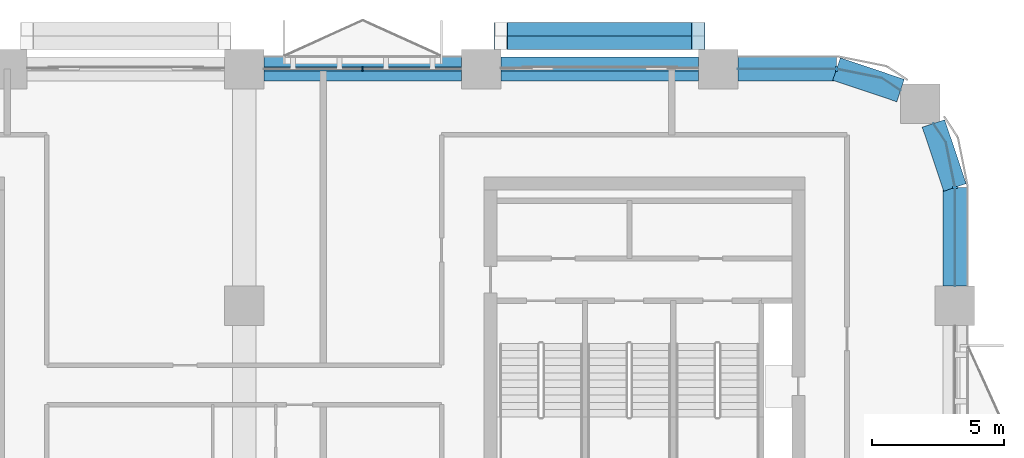
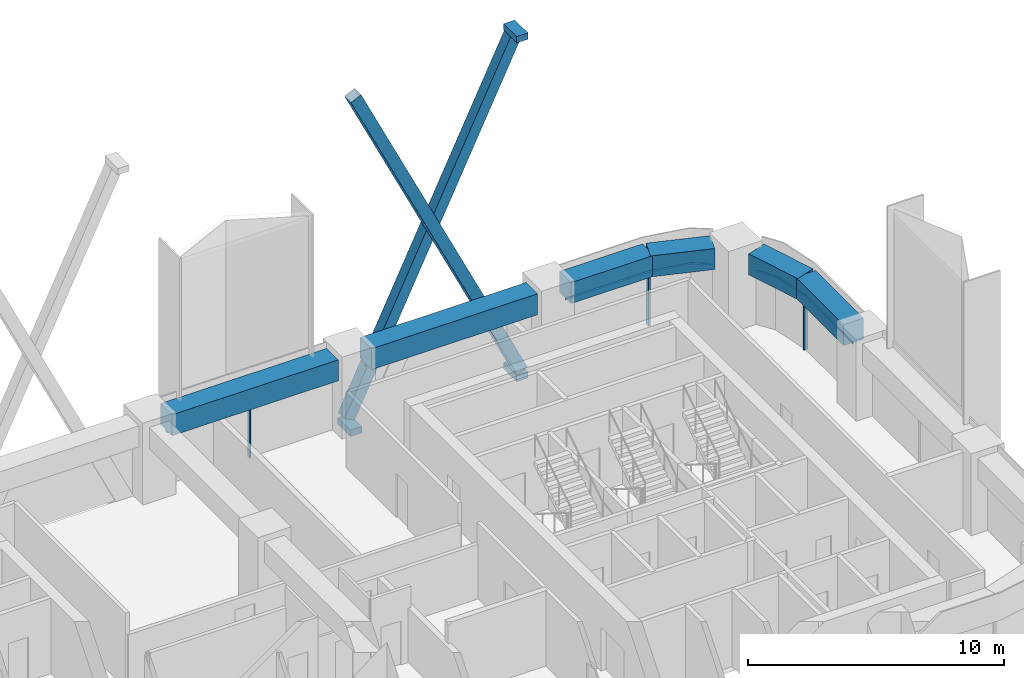
# One storey, part 6 of 14: 12 members, 6 beams, 4 elements without a shape of their own.
"""IFC4 building model written with IfcOpenShell, lengths in metres."""

import ifcopenshell
import ifcopenshell.guid

model = None  # the IFC model being written
_history = None  # IfcOwnerHistory: only IFC2X3 demands one
_inside = {}  # id of a spatial element -> (the spatial element, [elements in it])
_under = {}  # id of a project, library or spatial element -> (it, [spatial elements below it])
_declared = {}  # id of a project -> (the project, [libraries it declares])
_typed = {}  # id of a type object -> (the type object, [elements of that type])
_made_of = {}  # id of a material, layer set ... -> (it, [elements and type objects made of it])


def new_model(schema):
    """Start an empty IFC model of exactly this schema.

    Asked for "IFC4X3", IfcOpenShell would pick the latest addendum, in which some entities
    have other attributes; the version numbers below select the first issue.
    IFC2X3 requires an IfcOwnerHistory on every rooted entity: one is made here for all.
    """
    global model, _history
    if schema == "IFC4X3":
        model = ifcopenshell.file(schema_version=(4, 3, 0, 0))
    else:
        model = ifcopenshell.file(schema=schema)
    _inside.clear()
    _under.clear()
    _declared.clear()
    _typed.clear()
    _made_of.clear()
    _history = None
    if model.schema == "IFC2X3":
        org = make("IfcOrganization", Name="unknown")
        user = make(
            "IfcPersonAndOrganization",
            ThePerson=make("IfcPerson", FamilyName="unknown"),
            TheOrganization=org,
        )
        app = make(
            "IfcApplication",
            ApplicationDeveloper=org,
            Version="unknown",
            ApplicationFullName="unknown",
            ApplicationIdentifier="unknown",
        )
        _history = make(
            "IfcOwnerHistory",
            OwningUser=user,
            OwningApplication=app,
            ChangeAction="ADDED",
            CreationDate=0,
        )
    return model


def make(cls, **values):
    """One entity of the class cls with the attributes given. An attribute that is None is left unset."""
    return model.create_entity(
        cls, **{name: value for name, value in values.items() if value is not None}
    )


def rooted(cls, **values):
    """An entity with a GlobalId (a new one), such as an element, a storey or a relation."""
    return make(cls, GlobalId=ifcopenshell.guid.new(), OwnerHistory=_history, **values)


def si_unit(unit_type, name, prefix=None):
    """IfcSIUnit, for example si_unit("LENGTHUNIT", "METRE", prefix="MILLI")."""
    return make("IfcSIUnit", UnitType=unit_type, Prefix=prefix, Name=name)


def assignment(units):
    """IfcUnitAssignment: the units of a project."""
    return None if units is None else make("IfcUnitAssignment", Units=units)


def point(xyz):
    """IfcCartesianPoint."""
    return None if xyz is None else make("IfcCartesianPoint", Coordinates=xyz)


def direction(xyz):
    """IfcDirection."""
    return None if xyz is None else make("IfcDirection", DirectionRatios=xyz)


def frame(location, z_axis=None, x_axis=None):
    """IfcAxis2Placement3D, a coordinate frame: its origin and axes. An axis left out is left unset."""
    return make(
        "IfcAxis2Placement3D",
        Location=point(location),
        Axis=direction(z_axis),
        RefDirection=direction(x_axis),
    )


def frame_2d(location, x_axis=None):
    """IfcAxis2Placement2D, a coordinate frame in the plane: its origin and x axis."""
    return make(
        "IfcAxis2Placement2D", Location=point(location), RefDirection=direction(x_axis)
    )


def origin():
    """The frame at (0, 0, 0) with its axes left unset."""
    return frame((0.0, 0.0, 0.0))


def origin_2d():
    """The frame at (0, 0) in the plane with its x axis left unset."""
    return frame_2d((0.0, 0.0))


def place(relative_to, where):
    """IfcLocalPlacement: puts the frame where relative to a parent placement (None: the world)."""
    return make(
        "IfcLocalPlacement", PlacementRelTo=relative_to, RelativePlacement=where
    )


def context(
    kind, dimensions, precision=None, world=None, true_north=None, identifier=None
):
    """IfcGeometricRepresentationContext, for example the 3D "Model" context."""
    return make(
        "IfcGeometricRepresentationContext",
        ContextIdentifier=identifier,
        ContextType=kind,
        CoordinateSpaceDimension=dimensions,
        Precision=precision,
        WorldCoordinateSystem=world,
        TrueNorth=true_north,
    )


def subcontext(parent, identifier, kind, view, scale=None):
    """IfcGeometricRepresentationSubContext, for example "Body" below "Model"."""
    return make(
        "IfcGeometricRepresentationSubContext",
        ContextIdentifier=identifier,
        ContextType=kind,
        ParentContext=parent,
        TargetScale=scale,
        TargetView=view,
    )


def project(units=None, contexts=None):
    """IfcProject with its units and contexts."""
    return rooted(
        "IfcProject",
        Name="project",
        RepresentationContexts=contexts,
        UnitsInContext=assignment(units),
    )


def spatial(cls, under=None, at=None, **own):
    """A site, building, storey or space (cls), placed at a placement, below another one or the project."""
    s = rooted(cls, ObjectPlacement=at, **own)
    if under is not None:
        _under.setdefault(under.id(), (under, []))[1].append(s)
    return s


def polyline(points):
    """IfcPolyline through the points."""
    return make("IfcPolyline", Points=[point(p) for p in points])


def profile(cls, at=None, kind="AREA", **sizes):
    """A parametric profile (cls). Its sizes go by their IFC names, for example OverallWidth=200.0."""
    return make(cls, ProfileType=kind, Position=at, **sizes)


def rectangle(**sizes):
    """IfcRectangleProfileDef."""
    return profile("IfcRectangleProfileDef", **sizes)


def hollow_rectangle(**sizes):
    """IfcRectangleHollowProfileDef."""
    return profile("IfcRectangleHollowProfileDef", **sizes)


def outline(outer, holes=None, kind="AREA"):
    """IfcArbitraryClosedProfileDef: a profile drawn as a closed curve; with holes, ...WithVoids."""
    if holes is None:
        return make("IfcArbitraryClosedProfileDef", ProfileType=kind, OuterCurve=outer)
    return make(
        "IfcArbitraryProfileDefWithVoids",
        ProfileType=kind,
        OuterCurve=outer,
        InnerCurves=holes,
    )


def extrude(swept, where, along, depth):
    """IfcExtrudedAreaSolid: the profile swept, set in the frame where, extruded along a direction by depth."""
    return make(
        "IfcExtrudedAreaSolid",
        SweptArea=swept,
        Position=where,
        ExtrudedDirection=direction(along),
        Depth=depth,
    )


def shape(context_of_items, identifier, shape_type, items):
    """IfcShapeRepresentation: the items that make up one representation, for example the "Body"."""
    return make(
        "IfcShapeRepresentation",
        ContextOfItems=context_of_items,
        RepresentationIdentifier=identifier,
        RepresentationType=shape_type,
        Items=items,
    )


def material(Name=None, Category=None):
    """IfcMaterial."""
    return make("IfcMaterial", Name=Name, Category=Category)


def layer(
    of_material, thickness, ventilated=None, Name=None, Category=None, Priority=None
):
    """IfcMaterialLayer: one layer of a wall or slab, of a material (None: an air gap)."""
    return make(
        "IfcMaterialLayer",
        Material=of_material,
        LayerThickness=thickness,
        IsVentilated=ventilated,
        Name=Name,
        Category=Category,
        Priority=Priority,
    )


def layer_set(layers, Name=None):
    """IfcMaterialLayerSet."""
    return make("IfcMaterialLayerSet", MaterialLayers=layers, LayerSetName=Name)


def material_profile(
    of_material, cross_section, Name=None, Category=None, Priority=None
):
    """IfcMaterialProfile: a cross section and its material."""
    return make(
        "IfcMaterialProfile",
        Name=Name,
        Material=of_material,
        Profile=cross_section,
        Priority=Priority,
        Category=Category,
    )


def profile_set(profiles, Name=None, composite=None):
    """IfcMaterialProfileSet."""
    return make(
        "IfcMaterialProfileSet",
        Name=Name,
        MaterialProfiles=profiles,
        CompositeProfile=composite,
    )


def made_of(thing, what):
    """Note that an element or type object is made of a material, layer set ...; save() writes the relation."""
    if what is not None:
        _made_of.setdefault(what.id(), (what, []))[1].append(thing)
    return thing


def type_object(cls, material=None, **own):
    """A type object (cls), such as IfcWallType, which elements share."""
    return made_of(rooted(cls, **own), material)


def element(
    cls,
    number,
    at=None,
    inside=None,
    cuts=None,
    type_object=None,
    material=None,
    context=None,
    identifier="Body",
    shape_type=None,
    held_by="IfcProductDefinitionShape",
    body=None,
    shapes=None,
    **own,
):
    """One element of the class cls, such as IfcWall. Its Tag is "e" and its number.

    at: its placement. inside: the storey or other place that contains it. cuts: it is an
    opening in that element (IfcRelVoidsElement). A single representation is given by context,
    identifier, shape_type and body (its items); several are given by shapes. held_by: the class
    of the entity that holds the representations. save() writes the other relations.
    """
    e = rooted(cls, Tag="e%d" % number, ObjectPlacement=at, **own)
    if body is not None:
        shapes = [shape(context, identifier, shape_type, body)]
    if shapes is not None:
        e.Representation = make(held_by, Representations=shapes)
    if inside is not None:
        _inside.setdefault(inside.id(), (inside, []))[1].append(e)
    if cuts is not None:
        rooted(
            "IfcRelVoidsElement", RelatingBuildingElement=cuts, RelatedOpeningElement=e
        )
    if type_object is not None:
        _typed.setdefault(type_object.id(), (type_object, []))[1].append(e)
    return made_of(e, material)


def aggregate(whole, parts):
    """IfcRelAggregates: a whole, such as a stair, and the parts it consists of."""
    return rooted("IfcRelAggregates", RelatingObject=whole, RelatedObjects=parts)


def save(model, path):
    """Write the relations noted so far, then the file.

    IfcRelAggregates (storeys below a building ...), IfcRelContainedInSpatialStructure (elements
    in a storey), IfcRelDefinesByType, IfcRelAssociatesMaterial and IfcRelDeclares: one each for
    every whole, place, type object, material and project.
    """
    for whole, parts in _under.values():
        aggregate(whole, parts)
    for where, things in _inside.values():
        rooted(
            "IfcRelContainedInSpatialStructure",
            RelatedElements=things,
            RelatingStructure=where,
        )
    for kind, things in _typed.values():
        rooted("IfcRelDefinesByType", RelatedObjects=things, RelatingType=kind)
    for what, things in _made_of.values():
        rooted("IfcRelAssociatesMaterial", RelatedObjects=things, RelatingMaterial=what)
    for by, libraries in _declared.values():
        rooted("IfcRelDeclares", RelatingContext=by, RelatedDefinitions=libraries)
    model.write(path)


model = new_model("IFC4")

# Units and contexts
model_context = context("Model", 3, precision=1e-05, world=origin(), true_north=direction((0.0, 1.0)))
body_context = subcontext(model_context, "Body", "Model", "MODEL_VIEW")
ifc_project = project(units=[si_unit("LENGTHUNIT", "METRE"), si_unit("AREAUNIT", "SQUARE_METRE"), si_unit("VOLUMEUNIT", "CUBIC_METRE"), si_unit("PLANEANGLEUNIT", "RADIAN"), si_unit("MASSUNIT", "GRAM", prefix="KILO")], contexts=[model_context])

# Site, building, storey
site_placement = place(None, origin())
site = spatial("IfcSite", under=ifc_project, at=site_placement, CompositionType="ELEMENT")
building_placement = place(site_placement, origin())
building = spatial("IfcBuilding", under=site, at=building_placement, Name="Tessera Arch", CompositionType="ELEMENT")
storey_placement = place(building_placement, frame((0.0, 0.0, 150.5)))
storey = spatial("IfcBuildingStorey", under=building, at=storey_placement, Name="L35", CompositionType="ELEMENT", Elevation=150.5)

# Members
ifc_material_1 = material(Name="Steel A500 Gr C", Category="steel")
ifc_material_profile_1 = material_profile(ifc_material_1, hollow_rectangle(XDim=0.508056640625, YDim=0.508056640625, WallThickness=0.0146484375, at=origin_2d()), Name="HSS20x20x5/8")
ifc_profile_set_1 = profile_set([ifc_material_profile_1], Name="Steel A500 Gr C")
member_type_1 = type_object("IfcMemberType", Name="Brace HSS20x20x5/8 Steel A500 Gr C", PredefinedType="BRACE", material=ifc_profile_set_1)
for number, where, z_axis, x_axis, name in (
    (1, (44.25, 55.00390625, -0.800048828125), (-0.43329223169, 0.0, 0.901253483742), (0.0, -1.0, 0.0), "Brace N54.0-1 A L35-L38"),
    (2, (36.75, 55.511962890625, -0.800048828125), (0.43329223169, 0.0, 0.901253483742), (0.0, 1.0, 0.0), "Brace N54.0-1 B L35-L38"),
):
    element("IfcMember", number, at=place(storey_placement, frame(where, z_axis=z_axis, x_axis=x_axis)), inside=storey, type_object=member_type_1, Name=name, PredefinedType="BRACE", context=body_context, shape_type="SweptSolid", body=[
        extrude(hollow_rectangle(XDim=0.508056640625, YDim=0.508056640625, WallThickness=0.0146484375, at=origin_2d()), origin(), (0.0, 0.0, 1.0), 17.309326171875),
    ])

# Curtain wall, members
ifc_material_2 = material(Name="CW1 curtain wall")
curtain_wall_type_1 = type_object("IfcCurtainWallType", Name="CW1 curtain wall", PredefinedType="NOTDEFINED", material=ifc_material_2)
curtain_wall_1_placement = place(storey_placement, origin())
curtain_wall_1 = element("IfcCurtainWall", 3, at=curtain_wall_1_placement, inside=storey, type_object=curtain_wall_type_1, Name="CW1 curtain wall N54.0/2 L35", PredefinedType="NOTDEFINED")
ifc_material_3 = material(Name="Anodised aluminium pale metal", Category="aluminium")
ifc_material_profile_2 = material_profile(ifc_material_3, rectangle(XDim=0.159912109375, YDim=0.06005859375, at=origin_2d()), Name="AL 60x160")
ifc_profile_set_2 = profile_set([ifc_material_profile_2], Name="Anodised aluminium pale metal")
member_type_2 = type_object("IfcMemberType", Name="CW1 mullion", PredefinedType="MULLION", material=ifc_profile_set_2)
member_1_placement = place(storey_placement, frame((31.5, 54.0, 0.0), z_axis=(0.0, 0.0, 1.0), x_axis=(0.0, -1.0, 0.0)))
member_1 = element("IfcMember", 4, at=member_1_placement, type_object=member_type_2, Name="CW1 mullion N54.0/2 1", PredefinedType="MULLION", context=body_context, shape_type="SweptSolid", body=[
    extrude(rectangle(XDim=0.159912109375, YDim=0.06005859375, at=origin_2d()), origin(), (0.0, 0.0, 1.0), 2.5),
])
ifc_material_4 = material(Name="Anodised aluminium pale metal", Category="aluminium")
ifc_material_profile_3 = material_profile(ifc_material_4, rectangle(XDim=0.159912109375, YDim=0.10009765625, at=origin_2d()), Name="AL 160x100")
ifc_profile_set_3 = profile_set([ifc_material_profile_3], Name="Anodised aluminium pale metal")
member_type_3 = type_object("IfcMemberType", Name="CW1 transom", PredefinedType="USERDEFINED", material=ifc_profile_set_3)
member_2_placement = place(storey_placement, frame((35.25, 54.0, 2.550048828125), z_axis=(-1.0, 0.0, 0.0), x_axis=(0.0, -1.0, 0.0)))
member_2 = element("IfcMember", 5, at=member_2_placement, type_object=member_type_3, Name="CW1 transom N54.0/2 1.1", ObjectType="TRANSOM", PredefinedType="USERDEFINED", context=body_context, shape_type="SweptSolid", body=[
    extrude(rectangle(XDim=0.159912109375, YDim=0.10009765625, at=origin_2d()), origin(), (0.0, 0.0, 1.0), 7.5),
])
aggregate(curtain_wall_1, [member_1, member_2])

# Curtain wall, member
ifc_material_5 = material(Name="CW2 curtain wall")
curtain_wall_type_2 = type_object("IfcCurtainWallType", Name="CW2 curtain wall", PredefinedType="NOTDEFINED", material=ifc_material_5)
curtain_wall_2_placement = place(storey_placement, origin())
curtain_wall_2 = element("IfcCurtainWall", 6, at=curtain_wall_2_placement, inside=storey, type_object=curtain_wall_type_2, Name="CW2 curtain wall E54.27/1 L35", PredefinedType="NOTDEFINED")
ifc_material_6 = material(Name="Anodised aluminium pale metal", Category="aluminium")
ifc_material_profile_4 = material_profile(ifc_material_6, rectangle(XDim=0.199951171875, YDim=0.080078125, at=origin_2d()), Name="AL 80x200")
ifc_profile_set_4 = profile_set([ifc_material_profile_4], Name="Anodised aluminium pale metal")
member_type_4 = type_object("IfcMemberType", Name="CW2 mullion", PredefinedType="MULLION", material=ifc_profile_set_4)
member_3_placement = place(storey_placement, frame((54.0, 49.5, 0.0), z_axis=(0.0, 0.0, 1.0), x_axis=(-1.0, 0.0, 0.0)))
member_3 = element("IfcMember", 7, at=member_3_placement, type_object=member_type_4, Name="CW2 mullion E54.27/1 1", PredefinedType="MULLION", context=body_context, shape_type="SweptSolid", body=[
    extrude(rectangle(XDim=0.199951171875, YDim=0.080078125, at=origin_2d()), origin(), (0.0, 0.0, 1.0), 2.5),
])

curtain_wall_3_placement = place(storey_placement, origin())
curtain_wall_3 = element("IfcCurtainWall", 8, at=curtain_wall_3_placement, inside=storey, type_object=curtain_wall_type_2, Name="CW2 curtain wall N54.0/0 L35", PredefinedType="NOTDEFINED")
member_4_placement = place(storey_placement, frame((49.5, 54.0, 0.0), z_axis=(0.0, 0.0, 1.0), x_axis=(0.0, -1.0, 0.0)))
member_4 = element("IfcMember", 9, at=member_4_placement, type_object=member_type_4, Name="CW2 mullion N54.0/0 1", PredefinedType="MULLION", context=body_context, shape_type="SweptSolid", body=[
    extrude(rectangle(XDim=0.199951171875, YDim=0.080078125, at=origin_2d()), origin(), (0.0, 0.0, 1.0), 2.5),
])

# Member
ifc_material_7 = material(Name="Anodised aluminium pale metal", Category="aluminium")
ifc_material_profile_5 = material_profile(ifc_material_7, rectangle(XDim=0.199951171875, YDim=0.10009765625, at=origin_2d()), Name="AL 200x100")
ifc_profile_set_5 = profile_set([ifc_material_profile_5], Name="Anodised aluminium pale metal")
member_type_5 = type_object("IfcMemberType", Name="CW2 transom", PredefinedType="USERDEFINED", material=ifc_profile_set_5)
member_5_placement = place(storey_placement, frame((0.0, 0.0, 2.5)))
member_5 = element("IfcMember", 10, at=member_5_placement, type_object=member_type_5, Name="CW2 transom E54.27/1 1", ObjectType="TRANSOM", PredefinedType="USERDEFINED", context=body_context, shape_type="SweptSolid", body=[
    extrude(outline(polyline([(53.989990234375, 49.4990234375), (53.989990234375, 45.75), (54.010009765625, 45.75), (54.010009765625, 49.5009765625), (53.6669921875, 51.22607421875), (53.19140625, 51.9375), (53.1748046875, 51.926513671875), (53.648193359375, 51.21826171875), (53.989990234375, 49.4990234375)])), origin(), (0.0, 0.0, 1.0), 0.10009765625),
])

aggregate(curtain_wall_2, [member_3, member_5])

member_6_placement = place(storey_placement, frame((0.0, 0.0, 2.5)))
member_6 = element("IfcMember", 11, at=member_6_placement, type_object=member_type_5, Name="CW2 transom N54.0/0 1", ObjectType="TRANSOM", PredefinedType="USERDEFINED", context=body_context, shape_type="SweptSolid", body=[
    extrude(outline(polyline([(51.21826171875, 53.648193359375), (51.926513671875, 53.1748046875), (51.9375, 53.19140625), (51.22607421875, 53.6669921875), (49.5009765625, 54.010009765625), (45.75, 54.010009765625), (45.75, 53.989990234375), (49.4990234375, 53.989990234375), (51.21826171875, 53.648193359375)])), origin(), (0.0, 0.0, 1.0), 0.10009765625),
])

aggregate(curtain_wall_3, [member_4, member_6])

# Curtain wall, member
ifc_material_8 = material(Name="CW3 curtain wall")
curtain_wall_type_3 = type_object("IfcCurtainWallType", Name="CW3 curtain wall", PredefinedType="NOTDEFINED", material=ifc_material_8)
curtain_wall_4_placement = place(storey_placement, origin())
curtain_wall_4 = element("IfcCurtainWall", 12, at=curtain_wall_4_placement, inside=storey, type_object=curtain_wall_type_3, Name="CW3 curtain wall N54.0/1 L35", PredefinedType="NOTDEFINED")
ifc_material_9 = material(Name="Anodised aluminium pale metal", Category="aluminium")
ifc_material_profile_6 = material_profile(ifc_material_9, rectangle(XDim=0.139892578125, YDim=0.10009765625, at=origin_2d()), Name="AL 140x100")
ifc_profile_set_6 = profile_set([ifc_material_profile_6], Name="Anodised aluminium pale metal")
member_type_6 = type_object("IfcMemberType", Name="CW3 transom", PredefinedType="USERDEFINED", material=ifc_profile_set_6)
member_7_placement = place(storey_placement, frame((44.25, 54.0, 2.550048828125), z_axis=(-1.0, 0.0, 0.0), x_axis=(0.0, -1.0, 0.0)))
member_7 = element("IfcMember", 13, at=member_7_placement, type_object=member_type_6, Name="CW3 transom N54.0/1 1.1", ObjectType="TRANSOM", PredefinedType="USERDEFINED", context=body_context, shape_type="SweptSolid", body=[
    extrude(rectangle(XDim=0.139892578125, YDim=0.10009765625, at=origin_2d()), origin(), (0.0, 0.0, 1.0), 7.5),
])
aggregate(curtain_wall_4, [member_7])

# Members
ifc_material_10 = material(Name="Steel A572 Gr50", Category="steel")
ifc_layer = layer(ifc_material_10, 0.050048828125)
ifc_layer_set = layer_set([ifc_layer], Name="Node block Steel A572 Gr50")
member_type_7 = type_object("IfcMemberType", Name="Node block Steel A572 Gr50", PredefinedType="PLATE", material=ifc_layer_set)
for number, where, z_axis, x_axis, name in (
    (14, (36.75, 55.258056640625, -1.232421875), (0.0, 0.0, 1.0), (-1.0, 0.0, 0.0), "Node block seat N54.0-1 1 L35"),
    (15, (44.25, 55.258056640625, -1.232421875), (0.0, 0.0, 1.0), (-1.0, 0.0, 0.0), "Node block seat N54.0-1 2 L35"),
    (16, (44.25, 55.258056640625, 14.9326171875), (0.0, 0.0, 1.0), (-1.0, 0.0, 0.0), "Node block head N54.0-1 B L35"),
):
    element("IfcMember", number, at=place(storey_placement, frame(where, z_axis=z_axis, x_axis=x_axis)), inside=storey, type_object=member_type_7, Name=name, PredefinedType="PLATE", context=body_context, shape_type="SweptSolid", body=[
        extrude(rectangle(XDim=0.508056640625, YDim=1.01611328125, at=origin_2d()), origin(), (0.0, 0.0, 1.0), 0.300048828125),
    ])

# Beams
ifc_material_11 = material(Name="Concrete C70/85", Category="concrete")
ifc_material_profile_7 = material_profile(ifc_material_11, rectangle(XDim=0.89990234375, YDim=1.0, at=origin_2d()), Name="RC spandrel beam 900 x 1000 Concrete C70/85")
ifc_profile_set_7 = profile_set([ifc_material_profile_7], Name="Concrete C70/85")
beam_type = type_object("IfcBeamType", Name="RC spandrel beam 900 x 1000 Concrete C70/85", PredefinedType="BEAM", material=ifc_profile_set_7)
beam_1_placement = place(storey_placement, frame((54.0, 45.75, 3.10009765625), z_axis=(0.0, 1.0, 0.0), x_axis=(-1.0, 0.0, 0.0)))
element("IfcBeam", 17, at=beam_1_placement, inside=storey, type_object=beam_type, Name="Spandrel beam L35 E54.27/1.1", PredefinedType="BEAM", context=body_context, shape_type="SweptSolid", body=[
    extrude(rectangle(XDim=0.89990234375, YDim=1.0, at=origin_2d()), origin(), (0.0, 0.0, 1.0), 3.75),
])
for number, where, z_axis, x_axis, name in (
    (18, (54.0, 49.5, 3.10009765625), (-0.31842525032, 0.947947973234, 0.0), (-0.947947973234, -0.31842525032, 0.0), "Spandrel beam L35 E54.27/1.2"),
    (19, (51.931884765625, 53.18310546875, 3.10009765625), (-0.947947973234, 0.31842525032, 0.0), (-0.31842525032, -0.947947973234, 0.0), "Spandrel beam L35 N54.0/0.1"),
):
    element("IfcBeam", number, at=place(storey_placement, frame(where, z_axis=z_axis, x_axis=x_axis)), inside=storey, type_object=beam_type, Name=name, PredefinedType="BEAM", context=body_context, shape_type="SweptSolid", body=[
        extrude(rectangle(XDim=0.89990234375, YDim=1.0, at=origin_2d()), origin(), (0.0, 0.0, 1.0), 2.5654296875),
    ])
beam_2_placement = place(storey_placement, frame((49.5, 54.0, 3.10009765625), z_axis=(-1.0, 0.0, 0.0), x_axis=(0.0, -1.0, 0.0)))
element("IfcBeam", 20, at=beam_2_placement, inside=storey, type_object=beam_type, Name="Spandrel beam L35 N54.0/0.2", PredefinedType="BEAM", context=body_context, shape_type="SweptSolid", body=[
    extrude(rectangle(XDim=0.89990234375, YDim=1.0, at=origin_2d()), origin(), (0.0, 0.0, 1.0), 3.75),
])
for number, where, z_axis, x_axis, name in (
    (21, (44.25, 54.0, 3.10009765625), (-1.0, 0.0, 0.0), (0.0, -1.0, 0.0), "Spandrel beam L35 N54.0/1"),
    (22, (35.25, 54.0, 3.10009765625), (-1.0, 0.0, 0.0), (0.0, -1.0, 0.0), "Spandrel beam L35 N54.0/2"),
):
    element("IfcBeam", number, at=place(storey_placement, frame(where, z_axis=z_axis, x_axis=x_axis)), inside=storey, type_object=beam_type, Name=name, PredefinedType="BEAM", context=body_context, shape_type="SweptSolid", body=[
        extrude(rectangle(XDim=0.89990234375, YDim=1.0, at=origin_2d()), origin(), (0.0, 0.0, 1.0), 7.5),
    ])

save(model, "model.ifc")
